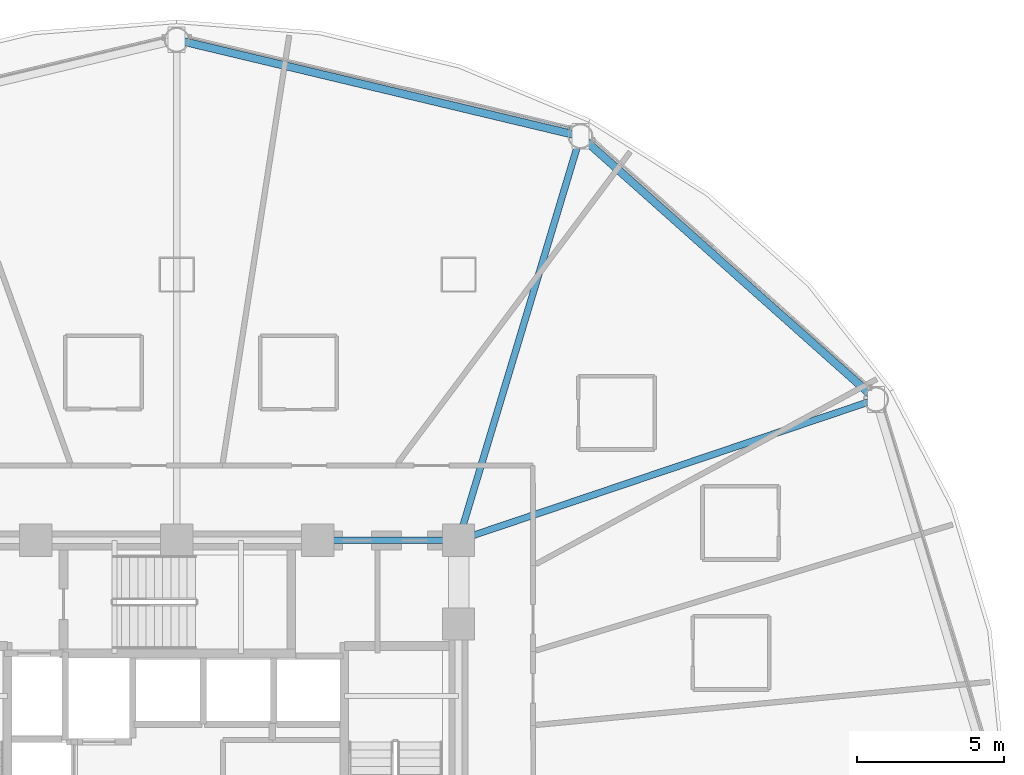
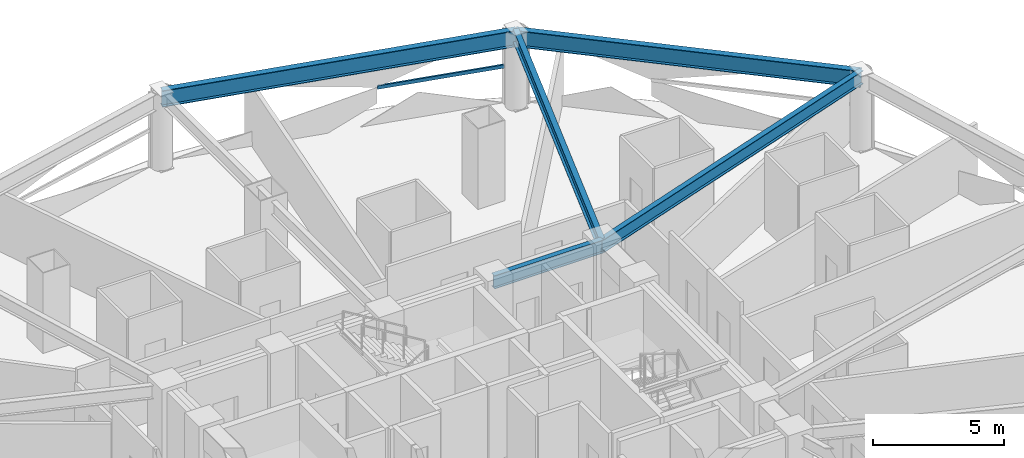
# One storey, part 18 of 30: 5 beams, 1 member, 1 element without a shape of its own.
"""IFC4 building model written with IfcOpenShell, lengths in metres."""

from ifc_helpers import new_model, si_unit, direction, frame, origin, origin_2d, place, context, subcontext, project, spatial, hollow_rectangle, i_section, extrude, material, layer, layer_set, material_profile, profile_set, type_object, element, aggregate, save


model = new_model("IFC4")

# Units and contexts
model_context = context("Model", 3, precision=1e-05, world=origin(), true_north=direction((0.0, 1.0)))
body_context = subcontext(model_context, "Body", "Model", "MODEL_VIEW")
ifc_project = project(units=[si_unit("LENGTHUNIT", "METRE"), si_unit("AREAUNIT", "SQUARE_METRE"), si_unit("VOLUMEUNIT", "CUBIC_METRE"), si_unit("PLANEANGLEUNIT", "RADIAN"), si_unit("MASSUNIT", "GRAM", prefix="KILO")], contexts=[model_context])

# Site, building, storey
site_placement = place(None, origin())
site = spatial("IfcSite", under=ifc_project, at=site_placement, CompositionType="ELEMENT")
building_placement = place(site_placement, origin())
building = spatial("IfcBuilding", under=site, at=building_placement, Name="Vantalir Tower", CompositionType="ELEMENT")
storey_placement = place(building_placement, frame((0.0, 0.0, 83.25)))
storey = spatial("IfcBuildingStorey", under=building, at=storey_placement, Name="L20", CompositionType="ELEMENT", Elevation=83.25)

# Beams
ifc_material_1 = material(Name="Steel S355", Category="steel")
ifc_material_profile_1 = material_profile(ifc_material_1, i_section(OverallWidth=0.22998046875, OverallDepth=0.616943359375, WebThickness=0.01318359375, FlangeThickness=0.022216796875, at=origin_2d()), Name="Steel S355")
ifc_profile_set_1 = profile_set([ifc_material_profile_1], Name="Steel S355")
beam_type_1 = type_object("IfcBeamType", Name="BM-RB-610x229", PredefinedType="BEAM", material=ifc_profile_set_1)
beam_1_placement = place(storey_placement, frame((41.10009765625, 32.449951171875, 3.261962890625), z_axis=(-1.0, 0.0, 0.0), x_axis=(0.0, -1.0, 0.0)))
element("IfcBeam", 1, at=beam_1_placement, inside=storey, type_object=beam_type_1, Name="L20 Core Coupling Girder 08", PredefinedType="BEAM", context=body_context, shape_type="SweptSolid", body=[
    extrude(i_section(OverallWidth=0.22998046875, OverallDepth=0.616943359375, WebThickness=0.01318359375, FlangeThickness=0.022216796875, at=origin_2d()), origin(), (0.0, 0.0, 1.0), 4.800048828125),
])
beam_2_placement = place(storey_placement, frame((55.31591796875, 37.2470703125, 3.261962890625), z_axis=(-0.947506822468, -0.319735549129, 0.0), x_axis=(0.319735549129, -0.947506822468, 0.0)))
element("IfcBeam", 2, at=beam_2_placement, inside=storey, type_object=beam_type_1, Name="L20 Radial Floor Beam 02", PredefinedType="BEAM", context=body_context, shape_type="SweptSolid", body=[
    extrude(i_section(OverallWidth=0.22998046875, OverallDepth=0.616943359375, WebThickness=0.01318359375, FlangeThickness=0.022216796875, at=origin_2d()), origin(), (0.0, 0.0, 1.0), 15.00341796875),
])
beam_3_placement = place(storey_placement, frame((45.25, 46.212890625, 3.261962890625), z_axis=(-0.288689161262, -0.957422878445, 0.0), x_axis=(0.957422878445, -0.288689161262, 0.0)))
element("IfcBeam", 3, at=beam_3_placement, inside=storey, type_object=beam_type_1, Name="L20 Radial Floor Beam 03", PredefinedType="BEAM", context=body_context, shape_type="SweptSolid", body=[
    extrude(i_section(OverallWidth=0.22998046875, OverallDepth=0.616943359375, WebThickness=0.01318359375, FlangeThickness=0.022216796875, at=origin_2d()), origin(), (0.0, 0.0, 1.0), 14.375),
])
ifc_material_2 = material(Name="Steel S460", Category="steel")
ifc_material_profile_2 = material_profile(ifc_material_2, i_section(OverallWidth=0.26806640625, OverallDepth=0.77001953125, WebThickness=0.015625, FlangeThickness=0.025390625, at=origin_2d()), Name="Steel S460")
ifc_profile_set_2 = profile_set([ifc_material_profile_2], Name="Steel S460")
beam_type_2 = type_object("IfcBeamType", Name="BM-RG-762x267", PredefinedType="USERDEFINED", material=ifc_profile_set_2)
beam_4_placement = place(storey_placement, frame((55.31591796875, 37.2470703125, 3.18505859375), z_axis=(-0.746733439209, 0.665123425213, 0.0), x_axis=(-0.665123425213, -0.746733439209, 0.0)))
element("IfcBeam", 4, at=beam_4_placement, inside=storey, type_object=beam_type_2, Name="L20 Circumferential Ring Girder 02", ObjectType="GIRDER", PredefinedType="USERDEFINED", context=body_context, shape_type="SweptSolid", body=[
    extrude(i_section(OverallWidth=0.26806640625, OverallDepth=0.77001953125, WebThickness=0.015625, FlangeThickness=0.025390625, at=origin_2d()), origin(), (0.0, 0.0, 1.0), 13.47998046875),
])
beam_5_placement = place(storey_placement, frame((45.25, 46.212890625, 3.18505859375), z_axis=(-0.972671890468, 0.232183964763, 0.0), x_axis=(-0.232183964763, -0.972671890468, 0.0)))
element("IfcBeam", 5, at=beam_5_placement, inside=storey, type_object=beam_type_2, Name="L20 Circumferential Ring Girder 03", ObjectType="GIRDER", PredefinedType="USERDEFINED", context=body_context, shape_type="SweptSolid", body=[
    extrude(i_section(OverallWidth=0.26806640625, OverallDepth=0.77001953125, WebThickness=0.015625, FlangeThickness=0.025390625, at=origin_2d()), origin(), (0.0, 0.0, 1.0), 14.13623046875),
])

# Curtain wall, member
ifc_material_3 = material(Name="Champagne-silver PVDF aluminium and double-silver Low-E glass", Category="aluminium")
ifc_layer = layer(ifc_material_3, 0.18994140625)
ifc_layer_set = layer_set([ifc_layer], Name="Champagne-silver PVDF aluminium and double-silver Low-E glass")
curtain_wall_type = type_object("IfcCurtainWallType", Name="CW-DIAMOND-Z1", PredefinedType="USERDEFINED", material=ifc_layer_set)
curtain_wall_placement = place(storey_placement, origin())
curtain_wall = element("IfcCurtainWall", 6, at=curtain_wall_placement, inside=storey, type_object=curtain_wall_type, Name="L20 Quilted Pyramid-Diamond Curtain Wall S03", ObjectType="UNITISED CURTAIN WALL", PredefinedType="USERDEFINED")
ifc_material_4 = material(Name="Champagne-silver PVDF aluminium 6063-T6", Category="aluminium")
ifc_material_profile_3 = material_profile(ifc_material_4, hollow_rectangle(XDim=0.074951171875, YDim=0.159912109375, WallThickness=0.00390625, at=origin_2d()), Name="Champagne-silver PVDF aluminium 6063-T6")
ifc_profile_set_3 = profile_set([ifc_material_profile_3], Name="Champagne-silver PVDF aluminium 6063-T6")
member_type = type_object("IfcMemberType", Name="CWT-160x75", PredefinedType="USERDEFINED", material=ifc_profile_set_3)
member_placement = place(storey_placement, frame((44.887939453125, 46.487060546875, 1.784912109375), z_axis=(-0.971534184351, 0.236899406159, 0.0), x_axis=(-0.236899406159, -0.971534184351, 0.0)))
member = element("IfcMember", 7, at=member_placement, type_object=member_type, Name="CW-L20-S03 Pyramid Fold Ridge Transom", ObjectType="TRANSOM", PredefinedType="USERDEFINED", context=body_context, shape_type="SweptSolid", body=[
    extrude(hollow_rectangle(XDim=0.074951171875, YDim=0.159912109375, WallThickness=0.00390625, at=origin_2d()), origin(), (0.0, 0.0, 1.0), 5.048828125),
])
aggregate(curtain_wall, [member])

save(model, "model.ifc")
